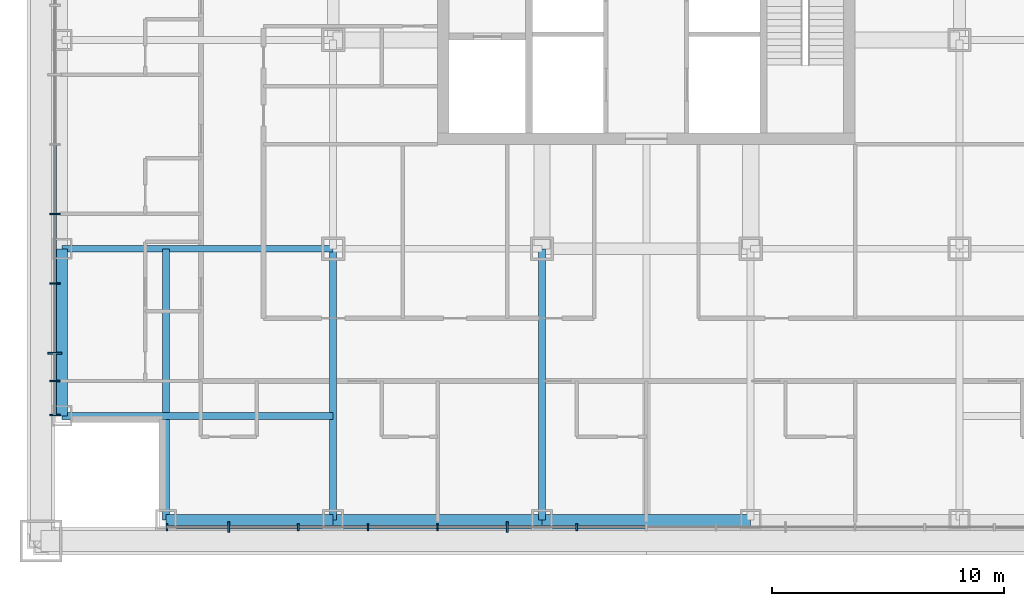
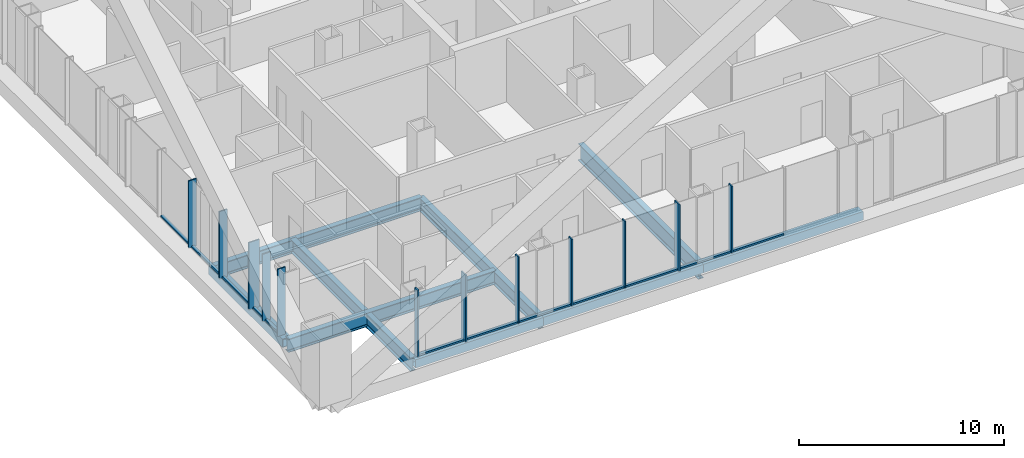
# One storey, part 2 of 21: 24 members, 9 beams, 2 elements without a shape of their own.
"""IFC4 building model written with IfcOpenShell, lengths in metres."""

from ifc_helpers import new_model, si_unit, direction, frame, origin, origin_2d, place, context, subcontext, project, spatial, rectangle, hollow_rectangle, i_section, extrude, material, layer, layer_set, material_profile, profile_set, type_object, element, aggregate, save


model = new_model("IFC4")

# Units and contexts
model_context = context("Model", 3, precision=1e-05, world=origin(), true_north=direction((0.0, 1.0)))
body_context = subcontext(model_context, "Body", "Model", "MODEL_VIEW")
ifc_project = project(units=[si_unit("LENGTHUNIT", "METRE"), si_unit("AREAUNIT", "SQUARE_METRE"), si_unit("VOLUMEUNIT", "CUBIC_METRE"), si_unit("PLANEANGLEUNIT", "RADIAN"), si_unit("MASSUNIT", "GRAM", prefix="KILO")], contexts=[model_context])

# Site, building, storey
site_placement = place(None, origin())
site = spatial("IfcSite", under=ifc_project, at=site_placement, CompositionType="ELEMENT")
building_placement = place(site_placement, origin())
building = spatial("IfcBuilding", under=site, at=building_placement, Name="Malebo Sky Hospital", CompositionType="ELEMENT")
storey_placement = place(building_placement, frame((0.0, 0.0, 63.0)))
storey = spatial("IfcBuildingStorey", under=building, at=storey_placement, Name="L14", CompositionType="ELEMENT", Elevation=63.0)

# Curtain wall, members
ifc_material_1 = material(Name="Anodised aluminium, natural silver", Category="aluminium")
ifc_layer_1 = layer(ifc_material_1, 0.25)
ifc_layer_set_1 = layer_set([ifc_layer_1], Name="WARD CURTAIN WALL EAST AND WEST")
curtain_wall_type_1 = type_object("IfcCurtainWallType", Name="WARD CURTAIN WALL EAST AND WEST", PredefinedType="NOTDEFINED", material=ifc_layer_set_1)
curtain_wall_1_placement = place(storey_placement, origin())
curtain_wall_1 = element("IfcCurtainWall", 1, at=curtain_wall_1_placement, inside=storey, type_object=curtain_wall_type_1, Name="EW curtain wall W", PredefinedType="NOTDEFINED")
ifc_material_profile_1 = material_profile(ifc_material_1, rectangle(XDim=0.14990234375, YDim=0.10009765625, at=origin_2d()), Name="ALUMINIUM TRANSOM 150x100")
ifc_profile_set_1 = profile_set([ifc_material_profile_1], Name="Anodised aluminium, natural silver")
member_type_1 = type_object("IfcMemberType", Name="ALUMINIUM TRANSOM 150x100", PredefinedType="USERDEFINED", material=ifc_profile_set_1)
member_1_placement = place(storey_placement, frame((34.5, 41.375, 0.050048828125), z_axis=(0.0, 1.0, 0.0), x_axis=(-1.0, 0.0, 0.0)))
member_1 = element("IfcMember", 2, at=member_1_placement, type_object=member_type_1, Name="Transom 1", ObjectType="TRANSOM", PredefinedType="USERDEFINED", context=body_context, shape_type="SweptSolid", body=[
    extrude(rectangle(XDim=0.14990234375, YDim=0.10009765625, at=origin_2d()), origin(), (0.0, 0.0, 1.0), 1.387451171875),
])
member_2_placement = place(storey_placement, frame((34.5, 42.83740234375, 0.050048828125), z_axis=(0.0, 1.0, 0.0), x_axis=(-1.0, 0.0, 0.0)))
member_2 = element("IfcMember", 3, at=member_2_placement, type_object=member_type_1, Name="Transom 2", ObjectType="TRANSOM", PredefinedType="USERDEFINED", context=body_context, shape_type="SweptSolid", body=[
    extrude(rectangle(XDim=0.14990234375, YDim=0.10009765625, at=origin_2d()), origin(), (0.0, 0.0, 1.0), 1.125),
])
member_3_placement = place(storey_placement, frame((34.5, 44.03759765625, 0.050048828125), z_axis=(0.0, 1.0, 0.0), x_axis=(-1.0, 0.0, 0.0)))
member_3 = element("IfcMember", 4, at=member_3_placement, type_object=member_type_1, Name="Transom 3", ObjectType="TRANSOM", PredefinedType="USERDEFINED", context=body_context, shape_type="SweptSolid", body=[
    extrude(rectangle(XDim=0.14990234375, YDim=0.10009765625, at=origin_2d()), origin(), (0.0, 0.0, 1.0), 2.9248046875),
])
member_4_placement = place(storey_placement, frame((34.5, 47.03759765625, 0.050048828125), z_axis=(0.0, 1.0, 0.0), x_axis=(-1.0, 0.0, 0.0)))
member_4 = element("IfcMember", 5, at=member_4_placement, type_object=member_type_1, Name="Transom 4", ObjectType="TRANSOM", PredefinedType="USERDEFINED", context=body_context, shape_type="SweptSolid", body=[
    extrude(rectangle(XDim=0.14990234375, YDim=0.10009765625, at=origin_2d()), origin(), (0.0, 0.0, 1.0), 2.9248046875),
])
member_5_placement = place(storey_placement, frame((34.5, 50.03759765625, 0.050048828125), z_axis=(0.0, 1.0, 0.0), x_axis=(-1.0, 0.0, 0.0)))
member_5 = element("IfcMember", 6, at=member_5_placement, type_object=member_type_1, Name="Transom 5", ObjectType="TRANSOM", PredefinedType="USERDEFINED", context=body_context, shape_type="SweptSolid", body=[
    extrude(rectangle(XDim=0.14990234375, YDim=0.10009765625, at=origin_2d()), origin(), (0.0, 0.0, 1.0), 2.9248046875),
])

ifc_layer_2 = layer(ifc_material_1, 0.25)
ifc_layer_set_2 = layer_set([ifc_layer_2], Name="WARD CURTAIN WALL NORTH AND SOUTH")
curtain_wall_type_2 = type_object("IfcCurtainWallType", Name="WARD CURTAIN WALL NORTH AND SOUTH", PredefinedType="NOTDEFINED", material=ifc_layer_set_2)
curtain_wall_2_placement = place(storey_placement, origin())
curtain_wall_2 = element("IfcCurtainWall", 7, at=curtain_wall_2_placement, inside=storey, type_object=curtain_wall_type_2, Name="NS curtain wall S", PredefinedType="NOTDEFINED")
member_6_placement = place(storey_placement, frame((59.96240234375, 36.5, 0.050048828125), z_axis=(-1.0, 0.0, 0.0), x_axis=(0.0, -1.0, 0.0)))
member_6 = element("IfcMember", 8, at=member_6_placement, type_object=member_type_1, Name="Transom 9", ObjectType="TRANSOM", PredefinedType="USERDEFINED", context=body_context, shape_type="SweptSolid", body=[
    extrude(rectangle(XDim=0.14990234375, YDim=0.10009765625, at=origin_2d()), origin(), (0.0, 0.0, 1.0), 2.9248046875),
])
member_7_placement = place(storey_placement, frame((56.96240234375, 36.5, 0.050048828125), z_axis=(-1.0, 0.0, 0.0), x_axis=(0.0, -1.0, 0.0)))
member_7 = element("IfcMember", 9, at=member_7_placement, type_object=member_type_1, Name="Transom 10", ObjectType="TRANSOM", PredefinedType="USERDEFINED", context=body_context, shape_type="SweptSolid", body=[
    extrude(rectangle(XDim=0.14990234375, YDim=0.10009765625, at=origin_2d()), origin(), (0.0, 0.0, 1.0), 2.9248046875),
])
member_8_placement = place(storey_placement, frame((53.96240234375, 36.5, 0.050048828125), z_axis=(-1.0, 0.0, 0.0), x_axis=(0.0, -1.0, 0.0)))
member_8 = element("IfcMember", 10, at=member_8_placement, type_object=member_type_1, Name="Transom 11", ObjectType="TRANSOM", PredefinedType="USERDEFINED", context=body_context, shape_type="SweptSolid", body=[
    extrude(rectangle(XDim=0.14990234375, YDim=0.10009765625, at=origin_2d()), origin(), (0.0, 0.0, 1.0), 2.9248046875),
])
member_9_placement = place(storey_placement, frame((50.96240234375, 36.5, 0.050048828125), z_axis=(-1.0, 0.0, 0.0), x_axis=(0.0, -1.0, 0.0)))
member_9 = element("IfcMember", 11, at=member_9_placement, type_object=member_type_1, Name="Transom 12", ObjectType="TRANSOM", PredefinedType="USERDEFINED", context=body_context, shape_type="SweptSolid", body=[
    extrude(rectangle(XDim=0.14990234375, YDim=0.10009765625, at=origin_2d()), origin(), (0.0, 0.0, 1.0), 2.9248046875),
])
member_10_placement = place(storey_placement, frame((47.96240234375, 36.5, 0.050048828125), z_axis=(-1.0, 0.0, 0.0), x_axis=(0.0, -1.0, 0.0)))
member_10 = element("IfcMember", 12, at=member_10_placement, type_object=member_type_1, Name="Transom 13", ObjectType="TRANSOM", PredefinedType="USERDEFINED", context=body_context, shape_type="SweptSolid", body=[
    extrude(rectangle(XDim=0.14990234375, YDim=0.10009765625, at=origin_2d()), origin(), (0.0, 0.0, 1.0), 2.9248046875),
])
member_11_placement = place(storey_placement, frame((44.96240234375, 36.5, 0.050048828125), z_axis=(-1.0, 0.0, 0.0), x_axis=(0.0, -1.0, 0.0)))
member_11 = element("IfcMember", 13, at=member_11_placement, type_object=member_type_1, Name="Transom 14", ObjectType="TRANSOM", PredefinedType="USERDEFINED", context=body_context, shape_type="SweptSolid", body=[
    extrude(rectangle(XDim=0.14990234375, YDim=0.10009765625, at=origin_2d()), origin(), (0.0, 0.0, 1.0), 2.9248046875),
])
member_12_placement = place(storey_placement, frame((41.96240234375, 36.5, 0.050048828125), z_axis=(-1.0, 0.0, 0.0), x_axis=(0.0, -1.0, 0.0)))
member_12 = element("IfcMember", 14, at=member_12_placement, type_object=member_type_1, Name="Transom 15", ObjectType="TRANSOM", PredefinedType="USERDEFINED", context=body_context, shape_type="SweptSolid", body=[
    extrude(rectangle(XDim=0.14990234375, YDim=0.10009765625, at=origin_2d()), origin(), (0.0, 0.0, 1.0), 2.58740234375),
])
ifc_material_profile_2 = material_profile(ifc_material_1, rectangle(XDim=0.074951171875, YDim=0.300048828125, at=origin_2d()), Name="CW1 ALUMINIUM FIN MULLION 75x300")
ifc_profile_set_2 = profile_set([ifc_material_profile_2], Name="Anodised aluminium, natural silver")
member_type_2 = type_object("IfcMemberType", Name="CW1 ALUMINIUM FIN MULLION 75x300", PredefinedType="MULLION", material=ifc_profile_set_2)
member_13_placement = place(storey_placement, frame((57.0, 36.5, 0.0), z_axis=(0.0, 0.0, 1.0), x_axis=(-1.0, 0.0, 0.0)))
member_13 = element("IfcMember", 15, at=member_13_placement, type_object=member_type_2, Name="Fin mullion 10", PredefinedType="MULLION", context=body_context, shape_type="SweptSolid", body=[
    extrude(rectangle(XDim=0.074951171875, YDim=0.300048828125, at=origin_2d()), origin(), (0.0, 0.0, 1.0), 4.0),
])
member_14_placement = place(storey_placement, frame((51.0, 36.5, 0.0), z_axis=(0.0, 0.0, 1.0), x_axis=(-1.0, 0.0, 0.0)))
member_14 = element("IfcMember", 16, at=member_14_placement, type_object=member_type_2, Name="Fin mullion 12", PredefinedType="MULLION", context=body_context, shape_type="SweptSolid", body=[
    extrude(rectangle(XDim=0.074951171875, YDim=0.300048828125, at=origin_2d()), origin(), (0.0, 0.0, 1.0), 4.0),
])
member_15_placement = place(storey_placement, frame((48.0, 36.5, 0.0), z_axis=(0.0, 0.0, 1.0), x_axis=(-1.0, 0.0, 0.0)))
member_15 = element("IfcMember", 17, at=member_15_placement, type_object=member_type_2, Name="Fin mullion 13", PredefinedType="MULLION", context=body_context, shape_type="SweptSolid", body=[
    extrude(rectangle(XDim=0.074951171875, YDim=0.300048828125, at=origin_2d()), origin(), (0.0, 0.0, 1.0), 4.0),
])
member_16_placement = place(storey_placement, frame((45.0, 36.5, 0.0), z_axis=(0.0, 0.0, 1.0), x_axis=(-1.0, 0.0, 0.0)))
member_16 = element("IfcMember", 18, at=member_16_placement, type_object=member_type_2, Name="Fin mullion 14", PredefinedType="MULLION", context=body_context, shape_type="SweptSolid", body=[
    extrude(rectangle(XDim=0.074951171875, YDim=0.300048828125, at=origin_2d()), origin(), (0.0, 0.0, 1.0), 4.0),
])
member_17_placement = place(storey_placement, frame((39.33740234375, 36.5, 0.0), z_axis=(0.0, 0.0, 1.0), x_axis=(-1.0, 0.0, 0.0)))
member_17 = element("IfcMember", 19, at=member_17_placement, type_object=member_type_2, Name="Fin mullion 16", PredefinedType="MULLION", context=body_context, shape_type="SweptSolid", body=[
    extrude(rectangle(XDim=0.074951171875, YDim=0.300048828125, at=origin_2d()), origin(), (0.0, 0.0, 1.0), 4.0),
])
ifc_material_profile_3 = material_profile(ifc_material_1, rectangle(XDim=0.074951171875, YDim=0.449951171875, at=origin_2d()), Name="CW1 ALUMINIUM FIN MULLION 75x450")
ifc_profile_set_3 = profile_set([ifc_material_profile_3], Name="Anodised aluminium, natural silver")
member_type_3 = type_object("IfcMemberType", Name="CW1 ALUMINIUM FIN MULLION 75x450", PredefinedType="MULLION", material=ifc_profile_set_3)
member_18_placement = place(storey_placement, frame((54.0, 36.5, 0.0), z_axis=(0.0, 0.0, 1.0), x_axis=(-1.0, 0.0, 0.0)))
member_18 = element("IfcMember", 20, at=member_18_placement, type_object=member_type_3, Name="Fin mullion 11", PredefinedType="MULLION", context=body_context, shape_type="SweptSolid", body=[
    extrude(rectangle(XDim=0.074951171875, YDim=0.449951171875, at=origin_2d()), origin(), (0.0, 0.0, 1.0), 4.0),
])
member_19_placement = place(storey_placement, frame((42.0, 36.5, 0.0), z_axis=(0.0, 0.0, 1.0), x_axis=(-1.0, 0.0, 0.0)))
member_19 = element("IfcMember", 21, at=member_19_placement, type_object=member_type_3, Name="Fin mullion 15", PredefinedType="MULLION", context=body_context, shape_type="SweptSolid", body=[
    extrude(rectangle(XDim=0.074951171875, YDim=0.449951171875, at=origin_2d()), origin(), (0.0, 0.0, 1.0), 4.0),
])
aggregate(curtain_wall_2, [member_13, member_18, member_14, member_15, member_16, member_19, member_17, member_6, member_7, member_8, member_9, member_10, member_11, member_12])

# Member
ifc_material_profile_4 = material_profile(ifc_material_1, rectangle(XDim=0.074951171875, YDim=0.449951171875, at=origin_2d()), Name="CW2 ALUMINIUM FIN MULLION 75x450")
ifc_profile_set_4 = profile_set([ifc_material_profile_4], Name="Anodised aluminium, natural silver")
member_type_4 = type_object("IfcMemberType", Name="CW2 ALUMINIUM FIN MULLION 75x450", PredefinedType="MULLION", material=ifc_profile_set_4)
member_20_placement = place(storey_placement, frame((34.5, 41.33740234375, 0.0), z_axis=(0.0, 0.0, 1.0), x_axis=(0.0, 1.0, 0.0)))
member_20 = element("IfcMember", 22, at=member_20_placement, type_object=member_type_4, Name="Fin mullion 1", PredefinedType="MULLION", context=body_context, shape_type="SweptSolid", body=[
    extrude(rectangle(XDim=0.074951171875, YDim=0.449951171875, at=origin_2d()), origin(), (0.0, 0.0, 1.0), 4.0),
])

member_21_placement = place(storey_placement, frame((34.5, 42.800048828125, 0.0), z_axis=(0.0, 0.0, 1.0), x_axis=(0.0, 1.0, 0.0)))
member_21 = element("IfcMember", 23, at=member_21_placement, type_object=member_type_4, Name="Fin mullion 2", PredefinedType="MULLION", context=body_context, shape_type="SweptSolid", body=[
    extrude(rectangle(XDim=0.074951171875, YDim=0.449951171875, at=origin_2d()), origin(), (0.0, 0.0, 1.0), 4.0),
])

member_22_placement = place(storey_placement, frame((34.5, 47.0, 0.0), z_axis=(0.0, 0.0, 1.0), x_axis=(0.0, 1.0, 0.0)))
member_22 = element("IfcMember", 24, at=member_22_placement, type_object=member_type_4, Name="Fin mullion 4", PredefinedType="MULLION", context=body_context, shape_type="SweptSolid", body=[
    extrude(rectangle(XDim=0.074951171875, YDim=0.449951171875, at=origin_2d()), origin(), (0.0, 0.0, 1.0), 4.0),
])

member_23_placement = place(storey_placement, frame((34.5, 50.0, 0.0), z_axis=(0.0, 0.0, 1.0), x_axis=(0.0, 1.0, 0.0)))
member_23 = element("IfcMember", 25, at=member_23_placement, type_object=member_type_4, Name="Fin mullion 5", PredefinedType="MULLION", context=body_context, shape_type="SweptSolid", body=[
    extrude(rectangle(XDim=0.074951171875, YDim=0.449951171875, at=origin_2d()), origin(), (0.0, 0.0, 1.0), 4.0),
])

ifc_material_profile_5 = material_profile(ifc_material_1, rectangle(XDim=0.074951171875, YDim=0.60009765625, at=origin_2d()), Name="CW2 ALUMINIUM FIN MULLION 75x600")
ifc_profile_set_5 = profile_set([ifc_material_profile_5], Name="Anodised aluminium, natural silver")
member_type_5 = type_object("IfcMemberType", Name="CW2 ALUMINIUM FIN MULLION 75x600", PredefinedType="MULLION", material=ifc_profile_set_5)
member_24_placement = place(storey_placement, frame((34.5, 44.0, 0.0), z_axis=(0.0, 0.0, 1.0), x_axis=(0.0, 1.0, 0.0)))
member_24 = element("IfcMember", 26, at=member_24_placement, type_object=member_type_5, Name="Fin mullion 3", PredefinedType="MULLION", context=body_context, shape_type="SweptSolid", body=[
    extrude(rectangle(XDim=0.074951171875, YDim=0.60009765625, at=origin_2d()), origin(), (0.0, 0.0, 1.0), 4.0),
])

aggregate(curtain_wall_1, [member_20, member_21, member_24, member_22, member_23, member_1, member_2, member_3, member_4, member_5])

# Beams
ifc_material_2 = material(Name="Steel S460", Category="steel")
ifc_material_profile_6 = material_profile(ifc_material_2, hollow_rectangle(XDim=0.5, YDim=0.5, WallThickness=0.030029296875, at=origin_2d()), Name="BOX 500x500x30")
ifc_profile_set_6 = profile_set([ifc_material_profile_6], Name="Steel S460")
beam_type_1 = type_object("IfcBeamType", Name="EDGE BEAM BOX 500x500x30", PredefinedType="BEAM", material=ifc_profile_set_6)
for number, where, z_axis, x_axis, name in (
    (27, (34.800048828125, 41.300048828125, -0.5), (0.0, 1.0, 0.0), (-1.0, 0.0, 0.0), "Beam 000 L14"),
    (28, (39.300048828125, 36.800048828125, -0.5), (1.0, 0.0, 0.0), (0.0, 1.0, 0.0), "Beam 034 L14"),
):
    element("IfcBeam", number, at=place(storey_placement, frame(where, z_axis=z_axis, x_axis=x_axis)), inside=storey, type_object=beam_type_1, Name=name, PredefinedType="BEAM", context=body_context, shape_type="SweptSolid", body=[
        extrude(hollow_rectangle(XDim=0.5, YDim=0.5, WallThickness=0.030029296875, at=origin_2d()), origin(), (0.0, 0.0, 1.0), 7.199951171875),
    ])
for number, where, z_axis, x_axis, name in (
    (29, (46.5, 36.800048828125, -0.5), (1.0, 0.0, 0.0), (0.0, 1.0, 0.0), "Beam 035 L14"),
    (30, (55.5, 36.800048828125, -0.5), (1.0, 0.0, 0.0), (0.0, 1.0, 0.0), "Beam 036 L14"),
):
    element("IfcBeam", number, at=place(storey_placement, frame(where, z_axis=z_axis, x_axis=x_axis)), inside=storey, type_object=beam_type_1, Name=name, PredefinedType="BEAM", context=body_context, shape_type="SweptSolid", body=[
        extrude(hollow_rectangle(XDim=0.5, YDim=0.5, WallThickness=0.030029296875, at=origin_2d()), origin(), (0.0, 0.0, 1.0), 9.0),
    ])
ifc_material_3 = material(Name="Steel S355", Category="steel")
ifc_material_profile_7 = material_profile(ifc_material_3, i_section(OverallWidth=0.300048828125, OverallDepth=1.0, WebThickness=0.01904296875, FlangeThickness=0.035888671875, FilletRadius=0.030029296875, at=origin_2d()), Name="HEB 1000")
ifc_profile_set_7 = profile_set([ifc_material_profile_7], Name="Steel S355")
beam_type_2 = type_object("IfcBeamType", Name="FLOOR BEAM HEB 1000", PredefinedType="BEAM", material=ifc_profile_set_7)
beam_placement = place(storey_placement, frame((55.5, 36.800048828125, -0.75), z_axis=(0.0, 1.0, 0.0), x_axis=(-1.0, 0.0, 0.0)))
element("IfcBeam", 31, at=beam_placement, inside=storey, type_object=beam_type_2, Name="Beam 012 L14", PredefinedType="BEAM", context=body_context, shape_type="SweptSolid", body=[
    extrude(i_section(OverallWidth=0.300048828125, OverallDepth=1.0, WebThickness=0.01904296875, FlangeThickness=0.035888671875, FilletRadius=0.030029296875, at=origin_2d()), origin(), (0.0, 0.0, 1.0), 11.699951171875),
])
ifc_material_profile_8 = material_profile(ifc_material_3, i_section(OverallWidth=0.300048828125, OverallDepth=0.800048828125, WebThickness=0.017578125, FlangeThickness=0.032958984375, FilletRadius=0.030029296875, at=origin_2d()), Name="HEB 800")
ifc_profile_set_8 = profile_set([ifc_material_profile_8], Name="Steel S355")
beam_type_3 = type_object("IfcBeamType", Name="FLOOR BEAM HEB 800", PredefinedType="BEAM", material=ifc_profile_set_8)
for number, where, z_axis, x_axis, name in (
    (32, (39.300048828125, 36.800048828125, -0.64990234375), (0.0, 1.0, 0.0), (-1.0, 0.0, 0.0), "Beam 005 L14"),
    (33, (34.800048828125, 41.300048828125, -0.64990234375), (1.0, 0.0, 0.0), (0.0, 1.0, 0.0), "Beam 039 L14"),
):
    element("IfcBeam", number, at=place(storey_placement, frame(where, z_axis=z_axis, x_axis=x_axis)), inside=storey, type_object=beam_type_3, Name=name, PredefinedType="BEAM", context=body_context, shape_type="SweptSolid", body=[
        extrude(i_section(OverallWidth=0.300048828125, OverallDepth=0.800048828125, WebThickness=0.017578125, FlangeThickness=0.032958984375, FilletRadius=0.030029296875, at=origin_2d()), origin(), (0.0, 0.0, 1.0), 11.699951171875),
    ])
ifc_material_profile_9 = material_profile(ifc_material_3, i_section(OverallWidth=0.300048828125, OverallDepth=0.800048828125, WebThickness=0.017578125, FlangeThickness=0.032958984375, FilletRadius=0.030029296875, at=origin_2d()), Name="HEB 800")
ifc_profile_set_9 = profile_set([ifc_material_profile_9], Name="Steel S355")
beam_type_4 = type_object("IfcBeamType", Name="FLOOR GIRDER HEB 800", PredefinedType="BEAM", material=ifc_profile_set_9)
for number, where, z_axis, x_axis, name in (
    (34, (46.5, 36.800048828125, -0.64990234375), (0.0, 1.0, 0.0), (-1.0, 0.0, 0.0), "Beam 007 L14"),
    (35, (34.800048828125, 48.5, -0.64990234375), (1.0, 0.0, 0.0), (0.0, 1.0, 0.0), "Beam 041 L14"),
):
    element("IfcBeam", number, at=place(storey_placement, frame(where, z_axis=z_axis, x_axis=x_axis)), inside=storey, type_object=beam_type_4, Name=name, PredefinedType="BEAM", context=body_context, shape_type="SweptSolid", body=[
        extrude(i_section(OverallWidth=0.300048828125, OverallDepth=0.800048828125, WebThickness=0.017578125, FlangeThickness=0.032958984375, FilletRadius=0.030029296875, at=origin_2d()), origin(), (0.0, 0.0, 1.0), 11.699951171875),
    ])

save(model, "model.ifc")
